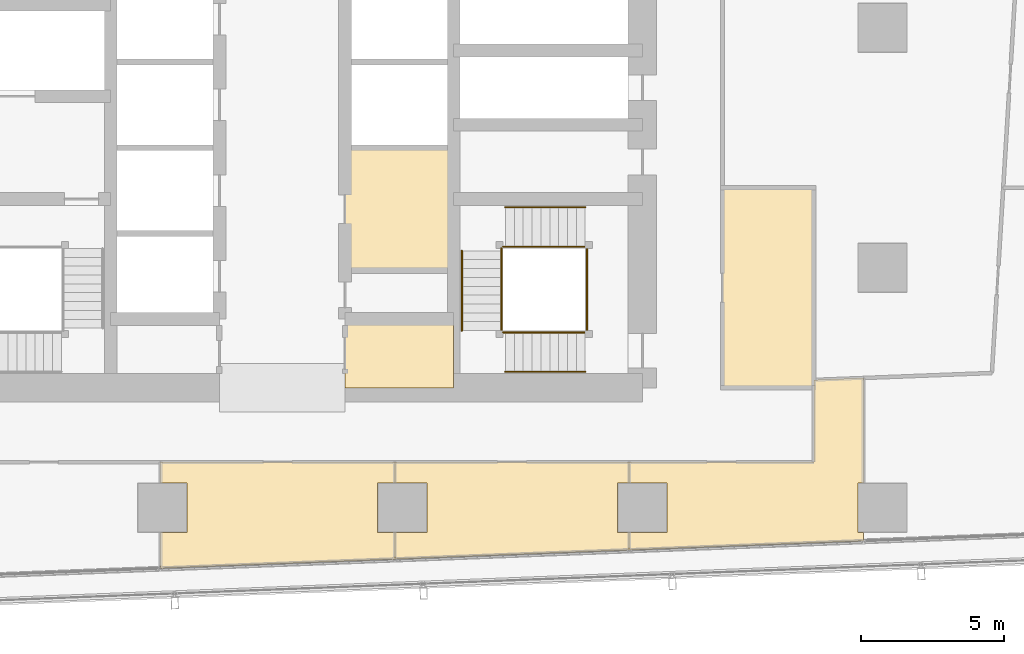
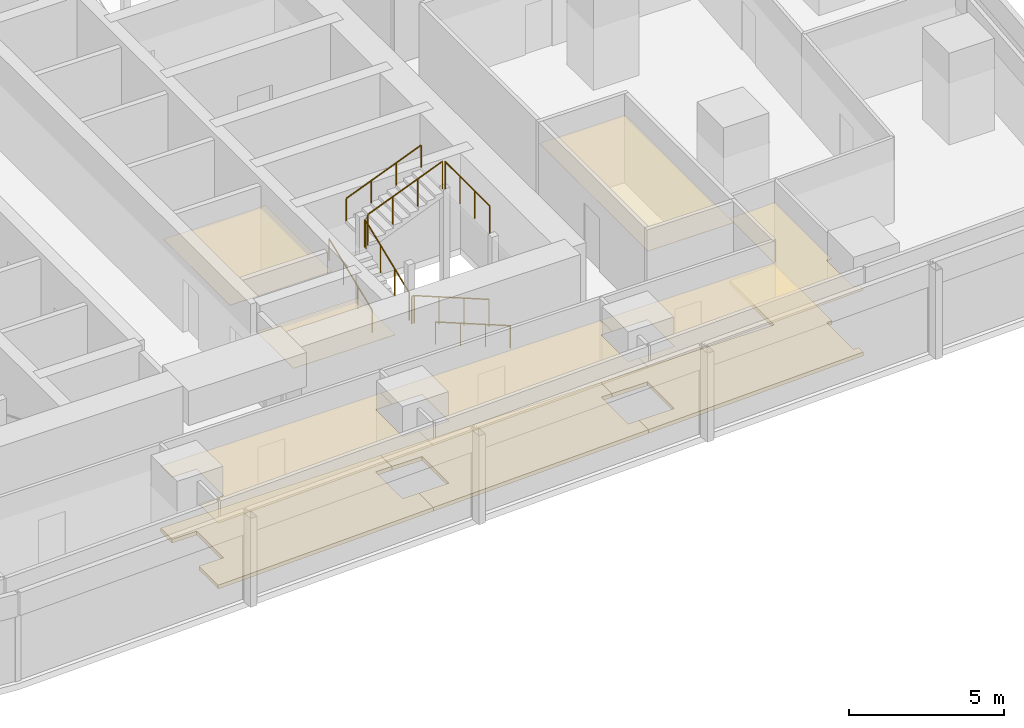
# One storey, part 37 of 40: 10 railings, 9 coverings.
"""IFC4 building model written with IfcOpenShell, lengths in metres."""

from ifc_helpers import new_model, si_unit, direction, frame, origin, origin_2d, place, context, subcontext, project, spatial, polyline, circle, outline, extrude, material, layer, layer_set, type_object, element, save


model = new_model("IFC4")

# Units and contexts
model_context = context("Model", 3, precision=1e-05, world=origin(), true_north=direction((0.0, 1.0)))
body_context = subcontext(model_context, "Body", "Model", "MODEL_VIEW")
ifc_project = project(units=[si_unit("LENGTHUNIT", "METRE"), si_unit("AREAUNIT", "SQUARE_METRE"), si_unit("VOLUMEUNIT", "CUBIC_METRE"), si_unit("PLANEANGLEUNIT", "RADIAN"), si_unit("MASSUNIT", "GRAM", prefix="KILO")], contexts=[model_context])

# Site, building, storey
site_placement = place(None, origin())
site = spatial("IfcSite", under=ifc_project, at=site_placement, CompositionType="ELEMENT")
building_placement = place(site_placement, origin())
building = spatial("IfcBuilding", under=site, at=building_placement, Name="Rekha Terrace Tower", CompositionType="ELEMENT")
storey_placement = place(building_placement, frame((0.0, 0.0, 140.300048828125)))
storey = spatial("IfcBuildingStorey", under=building, at=storey_placement, Name="L35", CompositionType="ELEMENT", Elevation=140.300048828125)

# Coverings
ifc_material_1 = material(Name="Mineral fibre tile in exposed grid", Category="finish")
ifc_layer_1 = layer(ifc_material_1, 0.02001953125)
ifc_layer_set_1 = layer_set([ifc_layer_1], Name="Mineral fibre tile in exposed grid")
covering_type_1 = type_object("IfcCoveringType", Name="CL1 600x1200 office grid ceiling", PredefinedType="CEILING", material=ifc_layer_set_1)
covering_1_placement = place(storey_placement, frame((0.0, 0.0, 2.579833984375)))
element("IfcCovering", 1, at=covering_1_placement, inside=storey, type_object=covering_type_1, Name="Ceiling L35-02", PredefinedType="CEILING", context=body_context, shape_type="SweptSolid", body=[
    extrude(outline(polyline([(41.740966796875, 15.93505859375), (41.740966796875, 15.0), (49.93603515625, 15.319091796875), (49.93603515625, 15.93505859375), (49.534912109375, 15.93505859375), (49.534912109375, 17.6650390625), (49.93603515625, 17.6650390625), (49.93603515625, 18.39990234375), (41.740966796875, 18.39990234375), (41.740966796875, 17.6650390625), (42.864990234375, 17.6650390625), (42.864990234375, 15.93505859375), (41.740966796875, 15.93505859375)])), origin(), (0.0, 0.0, 1.0), 0.02001953125),
])
covering_2_placement = place(storey_placement, frame((0.0, 0.0, 2.579833984375)))
element("IfcCovering", 2, at=covering_2_placement, inside=storey, type_object=covering_type_1, Name="Ceiling L35-03", PredefinedType="CEILING", context=body_context, shape_type="SweptSolid", body=[
    extrude(outline(polyline([(58.133056640625, 17.6650390625), (58.133056640625, 21.342041015625), (56.39990234375, 21.27490234375), (56.39990234375, 18.39990234375), (49.93701171875, 18.39990234375), (49.93701171875, 17.6650390625), (51.264892578125, 17.6650390625), (51.264892578125, 15.93505859375), (49.93701171875, 15.93505859375), (49.93701171875, 15.319091796875), (58.133056640625, 15.637939453125), (58.133056640625, 15.93505859375), (57.93505859375, 15.93505859375), (57.93505859375, 17.6650390625), (58.133056640625, 17.6650390625)])), origin(), (0.0, 0.0, 1.0), 0.02001953125),
])
covering_3_placement = place(storey_placement, frame((0.0, 0.0, 2.579833984375)))
element("IfcCovering", 3, at=covering_3_placement, inside=storey, type_object=covering_type_1, Name="Ceiling L35-25", PredefinedType="CEILING", context=body_context, shape_type="SweptSolid", body=[
    extrude(outline(polyline([(41.135009765625, 17.6650390625), (41.739990234375, 17.6650390625), (41.739990234375, 18.39990234375), (33.5439453125, 18.39990234375), (33.5439453125, 17.6650390625), (34.465087890625, 17.6650390625), (34.465087890625, 15.93505859375), (33.5439453125, 15.93505859375), (33.5439453125, 14.680908203125), (41.739990234375, 15.0), (41.739990234375, 15.93505859375), (41.135009765625, 15.93505859375), (41.135009765625, 17.6650390625)])), origin(), (0.0, 0.0, 1.0), 0.02001953125),
])
ifc_material_2 = material(Name="Fibre cement board", Category="finish")
ifc_layer_2 = layer(ifc_material_2, 0.014892578125)
ifc_layer_set_2 = layer_set([ifc_layer_2], Name="Fibre cement board")
covering_type_2 = type_object("IfcCoveringType", Name="CL2 moisture-resistant board ceiling", PredefinedType="CEILING", material=ifc_layer_set_2)
covering_4_placement = place(storey_placement, frame((0.0, 0.0, 2.5849609375)))
element("IfcCovering", 4, at=covering_4_placement, inside=storey, type_object=covering_type_2, Name="Ceiling L35-WCA", PredefinedType="CEILING", context=body_context, shape_type="SweptSolid", body=[
    extrude(outline(polyline([(43.800048828125, 23.39990234375), (40.0, 23.39990234375), (40.0, 21.0), (43.800048828125, 21.0), (43.800048828125, 23.39990234375)])), origin(), (0.0, 0.0, 1.0), 0.014892578125),
])
covering_5_placement = place(storey_placement, frame((0.0, 0.0, 2.5849609375)))
element("IfcCovering", 5, at=covering_5_placement, inside=storey, type_object=covering_type_2, Name="Ceiling L35-FSE2", PredefinedType="CEILING", context=body_context, shape_type="SweptSolid", body=[
    extrude(outline(polyline([(43.800048828125, 29.39990234375), (40.0, 29.39990234375), (40.0, 25.10009765625), (43.800048828125, 25.10009765625), (43.800048828125, 29.39990234375)])), origin(), (0.0, 0.0, 1.0), 0.014892578125),
])
covering_6_placement = place(storey_placement, frame((0.0, 0.0, 2.5849609375)))
element("IfcCovering", 6, at=covering_6_placement, inside=storey, type_object=covering_type_2, Name="Ceiling L35-WCM2", PredefinedType="CEILING", context=body_context, shape_type="SweptSolid", body=[
    extrude(outline(polyline([(56.39990234375, 28.0), (53.199951171875, 28.0), (53.199951171875, 21.0), (56.39990234375, 21.0), (56.39990234375, 28.0)])), origin(), (0.0, 0.0, 1.0), 0.014892578125),
])

# Railings
ifc_material_3 = material(Name="Stainless steel balustrade", Category="steel")
railing_type_1 = type_object("IfcRailingType", Name="GR1 1100 stair guard", PredefinedType="GUARDRAIL", material=ifc_material_3)
railing_1_placement = place(storey_placement, frame((48.39990234375, 22.93994140625, 0.125)))
element("IfcRailing", 7, at=railing_1_placement, inside=storey, type_object=railing_type_1, Name="Guard ST3 L35 flight 1", PredefinedType="GUARDRAIL", context=body_context, shape_type="SweptSolid", body=[
    extrude(circle(Radius=0.02392578125, at=origin_2d()), frame((0.0, 0.0, 1.076171875), z_axis=(-0.927431937212, 0.0, 0.373991980981), x_axis=(0.0, -1.0, 0.0)), (0.0, 0.0, 1.0), 3.008056640625),
    extrude(circle(Radius=0.02099609375, at=origin_2d()), origin(), (0.0, 0.0, 1.0), 1.052001953125),
    extrude(circle(Radius=0.02099609375, at=origin_2d()), frame((-0.929931640625, 0.0, 0.375)), (0.0, 0.0, 1.0), 1.052001953125),
    extrude(circle(Radius=0.02099609375, at=origin_2d()), frame((-1.85986328125, 0.0, 0.75)), (0.0, 0.0, 1.0), 1.052001953125),
    extrude(circle(Radius=0.02099609375, at=origin_2d()), frame((-2.789794921875, 0.0, 1.125)), (0.0, 0.0, 1.0), 1.052001953125),
])
railing_2_placement = place(storey_placement, frame((45.465087890625, 23.0, 1.375)))
element("IfcRailing", 8, at=railing_2_placement, inside=storey, type_object=railing_type_1, Name="Guard ST3 L35 flight 2", PredefinedType="GUARDRAIL", context=body_context, shape_type="SweptSolid", body=[
    extrude(circle(Radius=0.02392578125, at=origin_2d()), frame((0.0, 0.0, 1.076171875), z_axis=(0.0, 0.927443287984, 0.373963831907), x_axis=(-1.0, 0.0, 0.0)), (0.0, 0.0, 1.0), 3.00830078125),
    extrude(circle(Radius=0.02099609375, at=origin_2d()), origin(), (0.0, 0.0, 1.0), 1.052001953125),
    extrude(circle(Radius=0.02099609375, at=origin_2d()), frame((0.0, 0.929931640625, 0.375)), (0.0, 0.0, 1.0), 1.052001953125),
    extrude(circle(Radius=0.02099609375, at=origin_2d()), frame((0.0, 1.860107421875, 0.75)), (0.0, 0.0, 1.0), 1.052001953125),
    extrude(circle(Radius=0.02099609375, at=origin_2d()), frame((0.0, 2.7900390625, 1.125)), (0.0, 0.0, 1.0), 1.052001953125),
])
railing_3_placement = place(storey_placement, frame((45.610107421875, 25.93505859375, 2.625)))
element("IfcRailing", 9, at=railing_3_placement, inside=storey, type_object=railing_type_1, Name="Guard ST3 L35 flight 3", PredefinedType="GUARDRAIL", context=body_context, shape_type="SweptSolid", body=[
    extrude(circle(Radius=0.02392578125, at=origin_2d()), frame((0.0, 0.0, 1.076171875), z_axis=(0.927431937212, 0.0, 0.373991980981), x_axis=(0.0, 1.0, 0.0)), (0.0, 0.0, 1.0), 3.008056640625),
    extrude(circle(Radius=0.02099609375, at=origin_2d()), origin(), (0.0, 0.0, 1.0), 1.052001953125),
    extrude(circle(Radius=0.02099609375, at=origin_2d()), frame((0.929931640625, 0.0, 0.375)), (0.0, 0.0, 1.0), 1.052001953125),
    extrude(circle(Radius=0.02099609375, at=origin_2d()), frame((1.85986328125, 0.0, 0.75)), (0.0, 0.0, 1.0), 1.052001953125),
    extrude(circle(Radius=0.02099609375, at=origin_2d()), frame((2.789794921875, 0.0, 1.125)), (0.0, 0.0, 1.0), 1.052001953125),
])
railing_4_placement = place(storey_placement, frame((45.610107421875, 22.93994140625, 1.25)))
element("IfcRailing", 10, at=railing_4_placement, inside=storey, type_object=railing_type_1, Name="Guard ST3 L35 landing 1", PredefinedType="GUARDRAIL", context=body_context, shape_type="SweptSolid", body=[
    extrude(circle(Radius=0.02392578125, at=origin_2d()), frame((0.0, 0.0, 1.076171875), z_axis=(-1.0, 0.0, 0.0), x_axis=(0.0, -1.0, 0.0)), (0.0, 0.0, 1.0), 0.085205078125),
    extrude(circle(Radius=0.02099609375, at=origin_2d()), origin(), (0.0, 0.0, 1.0), 1.052001953125),
    extrude(circle(Radius=0.02099609375, at=origin_2d()), frame((-0.085205078125, 0.0, 0.0)), (0.0, 0.0, 1.0), 1.052001953125),
])
railing_5_placement = place(storey_placement, frame((45.465087890625, 25.7900390625, 2.5)))
element("IfcRailing", 11, at=railing_5_placement, inside=storey, type_object=railing_type_1, Name="Guard ST3 L35 landing 2", PredefinedType="GUARDRAIL", context=body_context, shape_type="SweptSolid", body=[
    extrude(circle(Radius=0.02392578125, at=origin_2d()), frame((0.0, 0.0, 1.076171875), z_axis=(0.0, 1.0, 0.0), x_axis=(-1.0, 0.0, 0.0)), (0.0, 0.0, 1.0), 0.0849609375),
    extrude(circle(Radius=0.02099609375, at=origin_2d()), origin(), (0.0, 0.0, 1.0), 1.052001953125),
    extrude(circle(Radius=0.02099609375, at=origin_2d()), frame((0.0, 0.0849609375, 0.0)), (0.0, 0.0, 1.0), 1.052001953125),
])
railing_6_placement = place(storey_placement, frame((45.610107421875, 25.93505859375, 2.5)))
element("IfcRailing", 12, at=railing_6_placement, inside=storey, type_object=railing_type_1, Name="Guard ST3 L35 landing 3", PredefinedType="GUARDRAIL", context=body_context, shape_type="SweptSolid", body=[
    extrude(circle(Radius=0.02392578125, at=origin_2d()), frame((0.0, 0.0, 1.076171875), z_axis=(-1.0, 0.0, 0.0), x_axis=(0.0, -1.0, 0.0)), (0.0, 0.0, 1.0), 0.085205078125),
    extrude(circle(Radius=0.02099609375, at=origin_2d()), origin(), (0.0, 0.0, 1.0), 1.052001953125),
    extrude(circle(Radius=0.02099609375, at=origin_2d()), frame((-0.085205078125, 0.0, 0.0)), (0.0, 0.0, 1.0), 1.052001953125),
])
railing_7_placement = place(storey_placement, frame((48.4599609375, 23.0, 3.75)))
element("IfcRailing", 13, at=railing_7_placement, inside=storey, type_object=railing_type_1, Name="Guard ST3 L35 landing 4", PredefinedType="GUARDRAIL", context=body_context, shape_type="SweptSolid", body=[
    extrude(circle(Radius=0.02392578125, at=origin_2d()), frame((0.0, 0.0, 1.076171875), z_axis=(0.0, 1.0, 0.0), x_axis=(-1.0, 0.0, 0.0)), (0.0, 0.0, 1.0), 2.875),
    extrude(circle(Radius=0.02099609375, at=origin_2d()), origin(), (0.0, 0.0, 1.0), 1.052001953125),
    extrude(circle(Radius=0.02099609375, at=origin_2d()), frame((0.0, 0.958251953125, 0.0)), (0.0, 0.0, 1.0), 1.052001953125),
    extrude(circle(Radius=0.02099609375, at=origin_2d()), frame((0.0, 1.916748046875, 0.0)), (0.0, 0.0, 1.0), 1.052001953125),
    extrude(circle(Radius=0.02099609375, at=origin_2d()), frame((0.0, 2.875, 0.0)), (0.0, 0.0, 1.0), 1.052001953125),
])
ifc_material_4 = material(Name="Stainless steel tube", Category="steel")
railing_type_2 = type_object("IfcRailingType", Name="HR1 900 stair handrail", PredefinedType="HANDRAIL", material=ifc_material_4)
railing_8_placement = place(storey_placement, frame((48.39990234375, 21.56005859375, 0.125)))
element("IfcRailing", 14, at=railing_8_placement, inside=storey, type_object=railing_type_2, Name="Handrail ST3 L35 flight 1", PredefinedType="HANDRAIL", context=body_context, shape_type="SweptSolid", body=[
    extrude(circle(Radius=0.02392578125, at=origin_2d()), frame((0.0, 0.0, 0.8759765625), z_axis=(-0.927431937212, 0.0, 0.373991980981), x_axis=(0.0, -1.0, 0.0)), (0.0, 0.0, 1.0), 3.008056640625),
    extrude(circle(Radius=0.02099609375, at=origin_2d()), origin(), (0.0, 0.0, 1.0), 0.851806640625),
    extrude(circle(Radius=0.02099609375, at=origin_2d()), frame((-0.929931640625, 0.0, 0.375)), (0.0, 0.0, 1.0), 0.851806640625),
    extrude(circle(Radius=0.02099609375, at=origin_2d()), frame((-1.85986328125, 0.0, 0.75)), (0.0, 0.0, 1.0), 0.851806640625),
    extrude(circle(Radius=0.02099609375, at=origin_2d()), frame((-2.789794921875, 0.0, 1.125)), (0.0, 0.0, 1.0), 0.851806640625),
])
railing_9_placement = place(storey_placement, frame((44.0849609375, 23.0, 1.375)))
element("IfcRailing", 15, at=railing_9_placement, inside=storey, type_object=railing_type_2, Name="Handrail ST3 L35 flight 2", PredefinedType="HANDRAIL", context=body_context, shape_type="SweptSolid", body=[
    extrude(circle(Radius=0.02392578125, at=origin_2d()), frame((0.0, 0.0, 0.8759765625), z_axis=(0.0, 0.927443287984, 0.373963831907), x_axis=(-1.0, 0.0, 0.0)), (0.0, 0.0, 1.0), 3.00830078125),
    extrude(circle(Radius=0.02099609375, at=origin_2d()), origin(), (0.0, 0.0, 1.0), 0.851806640625),
    extrude(circle(Radius=0.02099609375, at=origin_2d()), frame((0.0, 0.929931640625, 0.375)), (0.0, 0.0, 1.0), 0.851806640625),
    extrude(circle(Radius=0.02099609375, at=origin_2d()), frame((0.0, 1.860107421875, 0.75)), (0.0, 0.0, 1.0), 0.851806640625),
    extrude(circle(Radius=0.02099609375, at=origin_2d()), frame((0.0, 2.7900390625, 1.125)), (0.0, 0.0, 1.0), 0.851806640625),
])
railing_10_placement = place(storey_placement, frame((45.610107421875, 27.31494140625, 2.625)))
element("IfcRailing", 16, at=railing_10_placement, inside=storey, type_object=railing_type_2, Name="Handrail ST3 L35 flight 3", PredefinedType="HANDRAIL", context=body_context, shape_type="SweptSolid", body=[
    extrude(circle(Radius=0.02392578125, at=origin_2d()), frame((0.0, 0.0, 0.8759765625), z_axis=(0.927431937212, 0.0, 0.373991980981), x_axis=(0.0, 1.0, 0.0)), (0.0, 0.0, 1.0), 3.008056640625),
    extrude(circle(Radius=0.02099609375, at=origin_2d()), origin(), (0.0, 0.0, 1.0), 0.851806640625),
    extrude(circle(Radius=0.02099609375, at=origin_2d()), frame((0.929931640625, 0.0, 0.375)), (0.0, 0.0, 1.0), 0.851806640625),
    extrude(circle(Radius=0.02099609375, at=origin_2d()), frame((1.85986328125, 0.0, 0.75)), (0.0, 0.0, 1.0), 0.851806640625),
    extrude(circle(Radius=0.02099609375, at=origin_2d()), frame((2.789794921875, 0.0, 1.125)), (0.0, 0.0, 1.0), 0.851806640625),
])

# Coverings
ifc_material_5 = material(Name="Calcium sulphate panels on steel pedestals", Category="steel")
ifc_layer_3 = layer(ifc_material_5, 0.14990234375)
ifc_layer_set_3 = layer_set([ifc_layer_3], Name="Calcium sulphate panels on steel pedestals")
covering_type_3 = type_object("IfcCoveringType", Name="RF1 150 raised access floor", PredefinedType="FLOORING", material=ifc_layer_set_3)
covering_7_placement = place(storey_placement, origin())
element("IfcCovering", 17, at=covering_7_placement, inside=storey, type_object=covering_type_3, Name="Raised floor L35-02", PredefinedType="FLOORING", context=body_context, shape_type="SweptSolid", body=[
    extrude(outline(polyline([(41.740966796875, 15.93505859375), (41.740966796875, 15.0), (49.93603515625, 15.319091796875), (49.93603515625, 15.93505859375), (49.534912109375, 15.93505859375), (49.534912109375, 17.6650390625), (49.93603515625, 17.6650390625), (49.93603515625, 18.39990234375), (41.740966796875, 18.39990234375), (41.740966796875, 17.6650390625), (42.864990234375, 17.6650390625), (42.864990234375, 15.93505859375), (41.740966796875, 15.93505859375)])), origin(), (0.0, 0.0, 1.0), 0.14990234375),
])
covering_8_placement = place(storey_placement, origin())
element("IfcCovering", 18, at=covering_8_placement, inside=storey, type_object=covering_type_3, Name="Raised floor L35-03", PredefinedType="FLOORING", context=body_context, shape_type="SweptSolid", body=[
    extrude(outline(polyline([(58.133056640625, 17.6650390625), (58.133056640625, 21.342041015625), (56.39990234375, 21.27490234375), (56.39990234375, 18.39990234375), (49.93701171875, 18.39990234375), (49.93701171875, 17.6650390625), (51.264892578125, 17.6650390625), (51.264892578125, 15.93505859375), (49.93701171875, 15.93505859375), (49.93701171875, 15.319091796875), (58.133056640625, 15.637939453125), (58.133056640625, 15.93505859375), (57.93505859375, 15.93505859375), (57.93505859375, 17.6650390625), (58.133056640625, 17.6650390625)])), origin(), (0.0, 0.0, 1.0), 0.14990234375),
])
covering_9_placement = place(storey_placement, origin())
element("IfcCovering", 19, at=covering_9_placement, inside=storey, type_object=covering_type_3, Name="Raised floor L35-25", PredefinedType="FLOORING", context=body_context, shape_type="SweptSolid", body=[
    extrude(outline(polyline([(41.135009765625, 17.6650390625), (41.739990234375, 17.6650390625), (41.739990234375, 18.39990234375), (33.5439453125, 18.39990234375), (33.5439453125, 17.6650390625), (34.465087890625, 17.6650390625), (34.465087890625, 15.93505859375), (33.5439453125, 15.93505859375), (33.5439453125, 14.680908203125), (41.739990234375, 15.0), (41.739990234375, 15.93505859375), (41.135009765625, 15.93505859375), (41.135009765625, 17.6650390625)])), origin(), (0.0, 0.0, 1.0), 0.14990234375),
])

save(model, "model.ifc")
